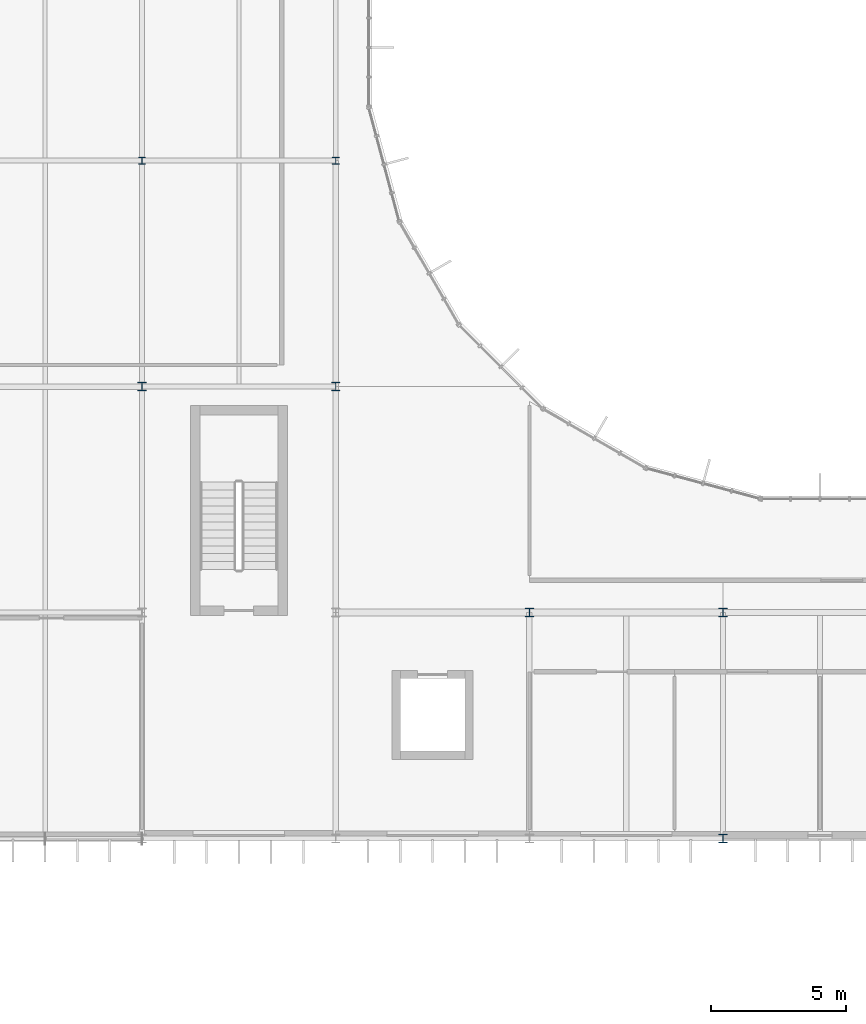
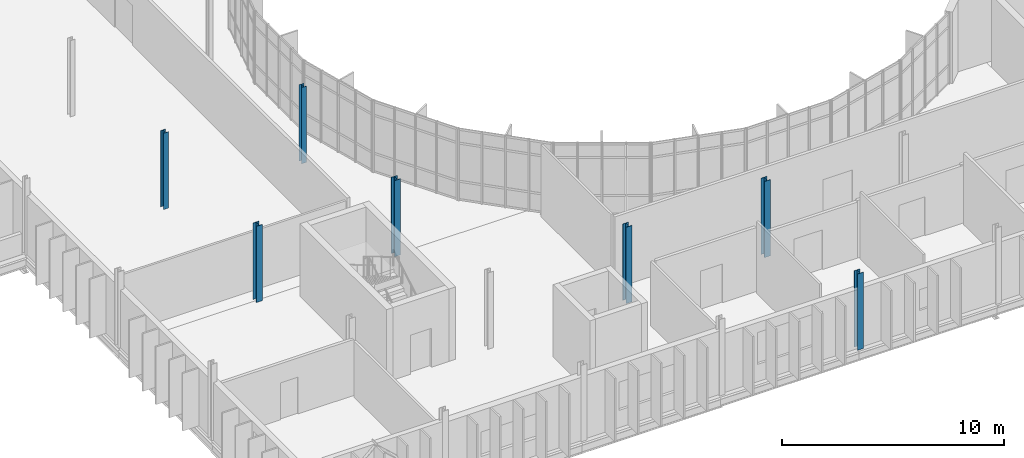
# One storey, part 4 of 61: 7 columns.
"""IFC4 building model written with IfcOpenShell, lengths in metres."""

from ifc_helpers import new_model, si_unit, direction, frame, origin, origin_2d, place, context, subcontext, project, spatial, i_section, extrude, material, material_profile, profile_set, type_object, element, save


model = new_model("IFC4")

# Units and contexts
model_context = context("Model", 3, precision=1e-05, world=origin(), true_north=direction((0.0, 1.0)))
body_context = subcontext(model_context, "Body", "Model", "MODEL_VIEW")
ifc_project = project(units=[si_unit("LENGTHUNIT", "METRE"), si_unit("AREAUNIT", "SQUARE_METRE"), si_unit("VOLUMEUNIT", "CUBIC_METRE"), si_unit("PLANEANGLEUNIT", "RADIAN"), si_unit("MASSUNIT", "GRAM", prefix="KILO")], contexts=[model_context])

# Site, building, storey
site_placement = place(None, origin())
site = spatial("IfcSite", under=ifc_project, at=site_placement, CompositionType="ELEMENT")
building_placement = place(site_placement, origin())
building = spatial("IfcBuilding", under=site, at=building_placement, Name="Qelthora Terrace Specialist Clinic", CompositionType="ELEMENT")
storey_placement = place(building_placement, frame((0.0, 0.0, 13.199951171875)))
storey = spatial("IfcBuildingStorey", under=building, at=storey_placement, Name="L03", CompositionType="ELEMENT", Elevation=13.199951171875)

# Columns
ifc_material = material(Name="Steel S355", Category="steel")
ifc_material_profile_1 = material_profile(ifc_material, i_section(OverallWidth=0.25390625, OverallDepth=0.2529296875, WebThickness=0.008544921875, FlangeThickness=0.01416015625, FilletRadius=0.012939453125, at=origin_2d()), Name="W250X73")
ifc_profile_set_1 = profile_set([ifc_material_profile_1], Name="Steel S355")
column_type_1 = type_object("IfcColumnType", Name="COL-W250X73", PredefinedType="COLUMN", material=ifc_profile_set_1)
column_1_placement = place(storey_placement, frame((108.0, 58.800048828125, 0.0), z_axis=(0.0, 0.0, 1.0), x_axis=(1.0, 0.0, 0.0)))
element("IfcColumn", 1, at=column_1_placement, inside=storey, type_object=column_type_1, Name="Column L03-182", PredefinedType="COLUMN", context=body_context, shape_type="SweptSolid", body=[
    extrude(i_section(OverallWidth=0.25390625, OverallDepth=0.2529296875, WebThickness=0.008544921875, FlangeThickness=0.01416015625, FilletRadius=0.012939453125, at=origin_2d()), origin(), (0.0, 0.0, 1.0), 4.199951171875),
])
ifc_material_profile_2 = material_profile(ifc_material, i_section(OverallWidth=0.256103515625, OverallDepth=0.260009765625, WebThickness=0.0107421875, FlangeThickness=0.017333984375, FilletRadius=0.012939453125, at=origin_2d()), Name="W250X89")
ifc_profile_set_2 = profile_set([ifc_material_profile_2], Name="Steel S355")
column_type_2 = type_object("IfcColumnType", Name="COL-W250X89", PredefinedType="COLUMN", material=ifc_profile_set_2)
column_2_placement = place(storey_placement, frame((100.800048828125, 58.800048828125, 0.0), z_axis=(0.0, 0.0, 1.0), x_axis=(1.0, 0.0, 0.0)))
element("IfcColumn", 2, at=column_2_placement, inside=storey, type_object=column_type_2, Name="Column L03-168", PredefinedType="COLUMN", context=body_context, shape_type="SweptSolid", body=[
    extrude(i_section(OverallWidth=0.256103515625, OverallDepth=0.260009765625, WebThickness=0.0107421875, FlangeThickness=0.017333984375, FilletRadius=0.012939453125, at=origin_2d()), origin(), (0.0, 0.0, 1.0), 4.199951171875),
])
ifc_material_profile_3 = material_profile(ifc_material, i_section(OverallWidth=0.305908203125, OverallDepth=0.31103515625, WebThickness=0.010986328125, FlangeThickness=0.01708984375, FilletRadius=0.014892578125, at=origin_2d()), Name="W310X107")
ifc_profile_set_3 = profile_set([ifc_material_profile_3], Name="Steel S355")
column_type_3 = type_object("IfcColumnType", Name="COL-W310X107", PredefinedType="COLUMN", material=ifc_profile_set_3)
for number, where, z_axis, x_axis, name in (
    (3, (108.0, 50.39990234375, 0.0), (0.0, 0.0, 1.0), (1.0, 0.0, 0.0), "Column L03-181"),
    (4, (115.199951171875, 42.0, 0.0), (0.0, 0.0, 1.0), (1.0, 0.0, 0.0), "Column L03-193"),
    (5, (122.39990234375, 42.0, 0.0), (0.0, 0.0, 1.0), (1.0, 0.0, 0.0), "Column L03-202"),
):
    element("IfcColumn", number, at=place(storey_placement, frame(where, z_axis=z_axis, x_axis=x_axis)), inside=storey, type_object=column_type_3, Name=name, PredefinedType="COLUMN", context=body_context, shape_type="SweptSolid", body=[
        extrude(i_section(OverallWidth=0.305908203125, OverallDepth=0.31103515625, WebThickness=0.010986328125, FlangeThickness=0.01708984375, FilletRadius=0.014892578125, at=origin_2d()), origin(), (0.0, 0.0, 1.0), 4.199951171875),
    ])
ifc_material_profile_4 = material_profile(ifc_material, i_section(OverallWidth=0.306884765625, OverallDepth=0.31396484375, WebThickness=0.011962890625, FlangeThickness=0.018798828125, FilletRadius=0.01611328125, at=origin_2d()), Name="W310X118")
ifc_profile_set_4 = profile_set([ifc_material_profile_4], Name="Steel S355")
column_type_4 = type_object("IfcColumnType", Name="COL-W310X118", PredefinedType="COLUMN", material=ifc_profile_set_4)
column_3_placement = place(storey_placement, frame((122.39990234375, 33.60009765625, 0.0), z_axis=(0.0, 0.0, 1.0), x_axis=(1.0, 0.0, 0.0)))
element("IfcColumn", 6, at=column_3_placement, inside=storey, type_object=column_type_4, Name="Column L03-201", PredefinedType="COLUMN", context=body_context, shape_type="SweptSolid", body=[
    extrude(i_section(OverallWidth=0.306884765625, OverallDepth=0.31396484375, WebThickness=0.011962890625, FlangeThickness=0.018798828125, FilletRadius=0.01611328125, at=origin_2d()), origin(), (0.0, 0.0, 1.0), 4.199951171875),
])
ifc_material_profile_5 = material_profile(ifc_material, i_section(OverallWidth=0.304931640625, OverallDepth=0.30810546875, WebThickness=0.010009765625, FlangeThickness=0.015380859375, FilletRadius=0.014892578125, at=origin_2d()), Name="W310X97")
ifc_profile_set_5 = profile_set([ifc_material_profile_5], Name="Steel S355")
column_type_5 = type_object("IfcColumnType", Name="COL-W310X97", PredefinedType="COLUMN", material=ifc_profile_set_5)
column_4_placement = place(storey_placement, frame((100.800048828125, 50.39990234375, 0.0), z_axis=(0.0, 0.0, 1.0), x_axis=(1.0, 0.0, 0.0)))
element("IfcColumn", 7, at=column_4_placement, inside=storey, type_object=column_type_5, Name="Column L03-167", PredefinedType="COLUMN", context=body_context, shape_type="SweptSolid", body=[
    extrude(i_section(OverallWidth=0.304931640625, OverallDepth=0.30810546875, WebThickness=0.010009765625, FlangeThickness=0.015380859375, FilletRadius=0.014892578125, at=origin_2d()), origin(), (0.0, 0.0, 1.0), 4.199951171875),
])

save(model, "model.ifc")
